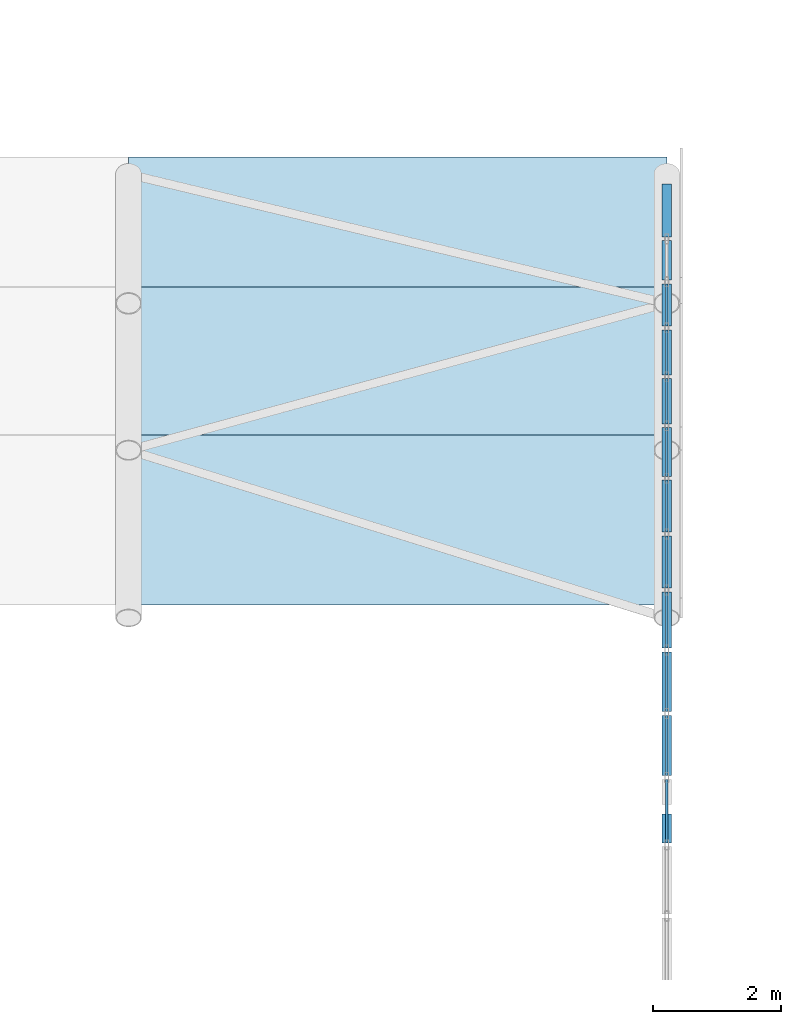
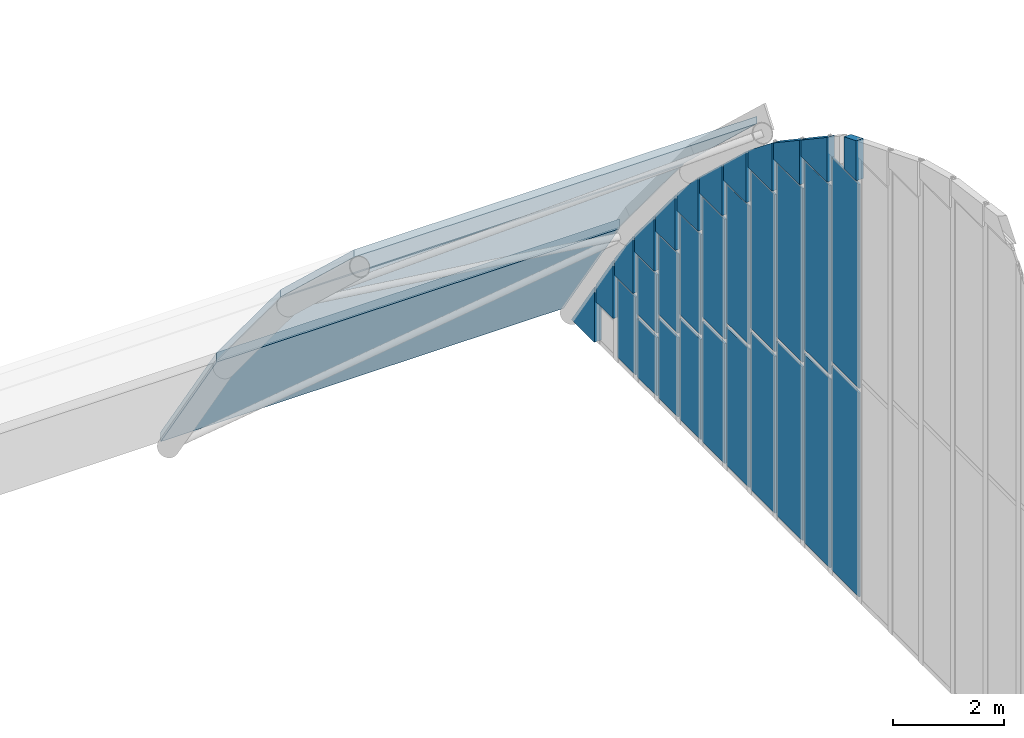
# One storey, part 59 of 77: 31 plates, 3 slabs, 1 element without a shape of its own.
"""IFC4 building model written with IfcOpenShell, lengths in metres."""

from ifc_helpers import new_model, si_unit, direction, frame, origin, origin_2d, place, context, subcontext, project, spatial, polyline, rectangle, outline, extrude, material, layer, layer_set, type_object, element, aggregate, save


model = new_model("IFC4")

# Units and contexts
model_context = context("Model", 3, precision=1e-05, world=origin(), true_north=direction((0.0, 1.0)))
body_context = subcontext(model_context, "Body", "Model", "MODEL_VIEW")
ifc_project = project(units=[si_unit("LENGTHUNIT", "METRE"), si_unit("AREAUNIT", "SQUARE_METRE"), si_unit("VOLUMEUNIT", "CUBIC_METRE"), si_unit("PLANEANGLEUNIT", "RADIAN"), si_unit("MASSUNIT", "GRAM", prefix="KILO")], contexts=[model_context])

# Site, building, storey
site_placement = place(None, origin())
site = spatial("IfcSite", under=ifc_project, at=site_placement, CompositionType="ELEMENT")
building_placement = place(site_placement, origin())
building = spatial("IfcBuilding", under=site, at=building_placement, Name="Catenary Quay Ferry Terminal", CompositionType="ELEMENT")
storey_placement = place(building_placement, frame((0.0, 0.0, 10.800048828125)))
storey = spatial("IfcBuildingStorey", under=building, at=storey_placement, Name="L02", CompositionType="ELEMENT", Elevation=10.800048828125)

# Curtain wall, plates
ifc_material_1 = material(Name="Aluminium and glass", Category="aluminium")
curtain_wall_type = type_object("IfcCurtainWallType", Name="CWA", PredefinedType="NOTDEFINED", material=ifc_material_1)
curtain_wall_placement = place(storey_placement, origin())
curtain_wall = element("IfcCurtainWall", 1, at=curtain_wall_placement, inside=storey, type_object=curtain_wall_type, Name="Arch departure hall curtain wall CW21", PredefinedType="NOTDEFINED")
ifc_material_2 = material(Name="Glass", Category="glass")
ifc_layer_1 = layer(ifc_material_2, 0.035888671875)
ifc_layer_set_1 = layer_set([ifc_layer_1], Name="PN4")
plate_type_1 = type_object("IfcPlateType", Name="PN4", PredefinedType="CURTAIN_PANEL", material=ifc_layer_set_1)
plate_1_placement = place(storey_placement, frame((92.39990234375, 132.861083984375, 0.099853515625), z_axis=(0.0, 0.0, 1.0), x_axis=(0.0, 1.0, 0.0)))
plate_1 = element("IfcPlate", 2, at=plate_1_placement, type_object=plate_type_1, Name="CW21 panel 23.1", PredefinedType="CURTAIN_PANEL", context=body_context, shape_type="SweptSolid", body=[
    extrude(rectangle(XDim=0.992431640625, YDim=0.035888671875, at=origin_2d()), origin(), (0.0, 0.0, 1.0), 4.4970703125),
])
plate_2_placement = place(storey_placement, frame((92.39990234375, 132.861083984375, 4.697021484375), z_axis=(0.0, 0.0, 1.0), x_axis=(0.0, 1.0, 0.0)))
plate_2 = element("IfcPlate", 3, at=plate_2_placement, type_object=plate_type_1, Name="CW21 panel 23.2", PredefinedType="CURTAIN_PANEL", context=body_context, shape_type="SweptSolid", body=[
    extrude(rectangle(XDim=0.992431640625, YDim=0.035888671875, at=origin_2d()), origin(), (0.0, 0.0, 1.0), 4.4970703125),
])
plate_3_placement = place(storey_placement, frame((92.39990234375, 133.884765625, 0.10009765625), z_axis=(0.0, 0.0, 1.0), x_axis=(0.0, 1.0, 0.0)))
plate_3 = element("IfcPlate", 4, at=plate_3_placement, type_object=plate_type_1, Name="CW21 panel 24.1", PredefinedType="CURTAIN_PANEL", context=body_context, shape_type="SweptSolid", body=[
    extrude(rectangle(XDim=0.9345703125, YDim=0.035888671875, at=origin_2d()), origin(), (0.0, 0.0, 1.0), 4.164306640625),
])
plate_4_placement = place(storey_placement, frame((92.39990234375, 133.884765625, 4.3642578125), z_axis=(0.0, 0.0, 1.0), x_axis=(0.0, 1.0, 0.0)))
plate_4 = element("IfcPlate", 5, at=plate_4_placement, type_object=plate_type_1, Name="CW21 panel 24.2", PredefinedType="CURTAIN_PANEL", context=body_context, shape_type="SweptSolid", body=[
    extrude(rectangle(XDim=0.9345703125, YDim=0.035888671875, at=origin_2d()), origin(), (0.0, 0.0, 1.0), 4.164306640625),
])
plate_5_placement = place(storey_placement, frame((92.39990234375, 134.87939453125, 0.10009765625), z_axis=(0.0, 0.0, 1.0), x_axis=(0.0, 1.0, 0.0)))
plate_5 = element("IfcPlate", 6, at=plate_5_placement, type_object=plate_type_1, Name="CW21 panel 25.1", PredefinedType="CURTAIN_PANEL", context=body_context, shape_type="SweptSolid", body=[
    extrude(rectangle(XDim=0.9345703125, YDim=0.035888671875, at=origin_2d()), origin(), (0.0, 0.0, 1.0), 3.831298828125),
])
plate_6_placement = place(storey_placement, frame((92.39990234375, 134.87939453125, 4.03125), z_axis=(0.0, 0.0, 1.0), x_axis=(0.0, 1.0, 0.0)))
plate_6 = element("IfcPlate", 7, at=plate_6_placement, type_object=plate_type_1, Name="CW21 panel 25.2", PredefinedType="CURTAIN_PANEL", context=body_context, shape_type="SweptSolid", body=[
    extrude(rectangle(XDim=0.9345703125, YDim=0.035888671875, at=origin_2d()), origin(), (0.0, 0.0, 1.0), 3.831298828125),
])
plate_7_placement = place(storey_placement, frame((92.39990234375, 135.843505859375, 0.099853515625), z_axis=(0.0, 0.0, 1.0), x_axis=(0.0, 1.0, 0.0)))
plate_7 = element("IfcPlate", 8, at=plate_7_placement, type_object=plate_type_1, Name="CW21 panel 26.1", PredefinedType="CURTAIN_PANEL", context=body_context, shape_type="SweptSolid", body=[
    extrude(rectangle(XDim=0.873779296875, YDim=0.035888671875, at=origin_2d()), origin(), (0.0, 0.0, 1.0), 3.46044921875),
])
plate_8_placement = place(storey_placement, frame((92.39990234375, 135.843505859375, 3.660400390625), z_axis=(0.0, 0.0, 1.0), x_axis=(0.0, 1.0, 0.0)))
plate_8 = element("IfcPlate", 9, at=plate_8_placement, type_object=plate_type_1, Name="CW21 panel 26.2", PredefinedType="CURTAIN_PANEL", context=body_context, shape_type="SweptSolid", body=[
    extrude(rectangle(XDim=0.873779296875, YDim=0.035888671875, at=origin_2d()), origin(), (0.0, 0.0, 1.0), 3.46044921875),
])
plate_9_placement = place(storey_placement, frame((92.39990234375, 136.7470703125, 0.099853515625), z_axis=(0.0, 0.0, 1.0), x_axis=(0.0, 1.0, 0.0)))
plate_9 = element("IfcPlate", 10, at=plate_9_placement, type_object=plate_type_1, Name="CW21 panel 27.1", PredefinedType="CURTAIN_PANEL", context=body_context, shape_type="SweptSolid", body=[
    extrude(rectangle(XDim=0.81298828125, YDim=0.035888671875, at=origin_2d()), origin(), (0.0, 0.0, 1.0), 3.05126953125),
])
plate_10_placement = place(storey_placement, frame((92.39990234375, 136.7470703125, 3.251220703125), z_axis=(0.0, 0.0, 1.0), x_axis=(0.0, 1.0, 0.0)))
plate_10 = element("IfcPlate", 11, at=plate_10_placement, type_object=plate_type_1, Name="CW21 panel 27.2", PredefinedType="CURTAIN_PANEL", context=body_context, shape_type="SweptSolid", body=[
    extrude(rectangle(XDim=0.81298828125, YDim=0.035888671875, at=origin_2d()), origin(), (0.0, 0.0, 1.0), 3.05126953125),
])
plate_11_placement = place(storey_placement, frame((92.39990234375, 137.6201171875, 0.099853515625), z_axis=(0.0, 0.0, 1.0), x_axis=(0.0, 1.0, 0.0)))
plate_11 = element("IfcPlate", 12, at=plate_11_placement, type_object=plate_type_1, Name="CW21 panel 28.1", PredefinedType="CURTAIN_PANEL", context=body_context, shape_type="SweptSolid", body=[
    extrude(rectangle(XDim=0.81298828125, YDim=0.035888671875, at=origin_2d()), origin(), (0.0, 0.0, 1.0), 2.64208984375),
])
plate_12_placement = place(storey_placement, frame((92.39990234375, 137.6201171875, 2.842041015625), z_axis=(0.0, 0.0, 1.0), x_axis=(0.0, 1.0, 0.0)))
plate_12 = element("IfcPlate", 13, at=plate_12_placement, type_object=plate_type_1, Name="CW21 panel 28.2", PredefinedType="CURTAIN_PANEL", context=body_context, shape_type="SweptSolid", body=[
    extrude(rectangle(XDim=0.81298828125, YDim=0.035888671875, at=origin_2d()), origin(), (0.0, 0.0, 1.0), 2.64208984375),
])
plate_13_placement = place(storey_placement, frame((92.39990234375, 138.4658203125, 0.10009765625), z_axis=(0.0, 0.0, 1.0), x_axis=(0.0, 1.0, 0.0)))
plate_13 = element("IfcPlate", 14, at=plate_13_placement, type_object=plate_type_1, Name="CW21 panel 29.1", PredefinedType="CURTAIN_PANEL", context=body_context, shape_type="SweptSolid", body=[
    extrude(rectangle(XDim=0.758544921875, YDim=0.035888671875, at=origin_2d()), origin(), (0.0, 0.0, 1.0), 2.207275390625),
])
plate_14_placement = place(storey_placement, frame((92.39990234375, 138.4658203125, 2.4072265625), z_axis=(0.0, 0.0, 1.0), x_axis=(0.0, 1.0, 0.0)))
plate_14 = element("IfcPlate", 15, at=plate_14_placement, type_object=plate_type_1, Name="CW21 panel 29.2", PredefinedType="CURTAIN_PANEL", context=body_context, shape_type="SweptSolid", body=[
    extrude(rectangle(XDim=0.758544921875, YDim=0.035888671875, at=origin_2d()), origin(), (0.0, 0.0, 1.0), 2.207275390625),
])
plate_15_placement = place(storey_placement, frame((92.39990234375, 139.257080078125, 0.099853515625), z_axis=(0.0, 0.0, 1.0), x_axis=(0.0, 1.0, 0.0)))
plate_15 = element("IfcPlate", 16, at=plate_15_placement, type_object=plate_type_1, Name="CW21 panel 30.1", PredefinedType="CURTAIN_PANEL", context=body_context, shape_type="SweptSolid", body=[
    extrude(rectangle(XDim=0.7041015625, YDim=0.035888671875, at=origin_2d()), origin(), (0.0, 0.0, 1.0), 1.74658203125),
])
plate_16_placement = place(storey_placement, frame((92.39990234375, 139.257080078125, 1.9462890625), z_axis=(0.0, 0.0, 1.0), x_axis=(0.0, 1.0, 0.0)))
plate_16 = element("IfcPlate", 17, at=plate_16_placement, type_object=plate_type_1, Name="CW21 panel 30.2", PredefinedType="CURTAIN_PANEL", context=body_context, shape_type="SweptSolid", body=[
    extrude(rectangle(XDim=0.7041015625, YDim=0.035888671875, at=origin_2d()), origin(), (0.0, 0.0, 1.0), 1.74658203125),
])
plate_17_placement = place(storey_placement, frame((92.39990234375, 140.02099609375, 0.10009765625), z_axis=(0.0, 0.0, 1.0), x_axis=(0.0, 1.0, 0.0)))
plate_17 = element("IfcPlate", 18, at=plate_17_placement, type_object=plate_type_1, Name="CW21 panel 31.1", PredefinedType="CURTAIN_PANEL", context=body_context, shape_type="SweptSolid", body=[
    extrude(rectangle(XDim=0.7041015625, YDim=0.035888671875, at=origin_2d()), origin(), (0.0, 0.0, 1.0), 1.285888671875),
])
plate_18_placement = place(storey_placement, frame((92.39990234375, 140.02099609375, 1.48583984375), z_axis=(0.0, 0.0, 1.0), x_axis=(0.0, 1.0, 0.0)))
plate_18 = element("IfcPlate", 19, at=plate_18_placement, type_object=plate_type_1, Name="CW21 panel 31.2", PredefinedType="CURTAIN_PANEL", context=body_context, shape_type="SweptSolid", body=[
    extrude(rectangle(XDim=0.7041015625, YDim=0.035888671875, at=origin_2d()), origin(), (0.0, 0.0, 1.0), 1.285888671875),
])
plate_19_placement = place(storey_placement, frame((92.39990234375, 140.761962890625, 0.099853515625), z_axis=(0.0, 0.0, 1.0), x_axis=(0.0, 1.0, 0.0)))
plate_19 = element("IfcPlate", 20, at=plate_19_placement, type_object=plate_type_1, Name="CW21 panel 32.1", PredefinedType="CURTAIN_PANEL", context=body_context, shape_type="SweptSolid", body=[
    extrude(rectangle(XDim=0.65771484375, YDim=0.035888671875, at=origin_2d()), origin(), (0.0, 0.0, 1.0), 1.7158203125),
])
ifc_material_3 = material(Name="Ceramic tile facing on insulated backing")
ifc_layer_2 = layer(ifc_material_3, 0.14990234375)
ifc_layer_set_2 = layer_set([ifc_layer_2], Name="PN7")
plate_type_2 = type_object("IfcPlateType", Name="PN7", PredefinedType="CURTAIN_PANEL", material=ifc_layer_set_2)
plate_20_placement = place(storey_placement, frame((92.39990234375, 132.36474609375, 9.294189453125), z_axis=(0.0, 0.0, 1.0), x_axis=(0.0, 1.0, 0.0)))
plate_20 = element("IfcPlate", 21, at=plate_20_placement, type_object=plate_type_2, Name="CW21 spandrel panel 25", PredefinedType="CURTAIN_PANEL", context=body_context, shape_type="SweptSolid", body=[
    extrude(outline(polyline([(0.0, 0.0), (0.4501953125, 0.0), (0.4501953125, 0.702880859375), (0.0, 0.883544921875), (0.0, 0.0)])), frame((0.0, 0.074951171875, 0.0), z_axis=(0.0, -1.0, 0.0), x_axis=(1.0, 0.0, 0.0)), (0.0, 0.0, 1.0), 0.14990234375),
])
plate_21_placement = place(storey_placement, frame((92.39990234375, 133.417236328125, 8.62841796875), z_axis=(0.0, 0.0, 1.0), x_axis=(0.0, 1.0, 0.0)))
plate_21 = element("IfcPlate", 22, at=plate_21_placement, type_object=plate_type_2, Name="CW21 spandrel panel 27", PredefinedType="CURTAIN_PANEL", context=body_context, shape_type="SweptSolid", body=[
    extrude(outline(polyline([(0.0, 0.0), (0.9345703125, 0.0), (0.9345703125, 0.360107421875), (0.0, 0.985595703125), (0.0, 0.0)])), frame((0.0, 0.074951171875, 0.0), z_axis=(0.0, -1.0, 0.0), x_axis=(1.0, 0.0, 0.0)), (0.0, 0.0, 1.0), 0.14990234375),
])
plate_22_placement = place(storey_placement, frame((92.39990234375, 134.412109375, 7.962890625), z_axis=(0.0, 0.0, 1.0), x_axis=(0.0, 1.0, 0.0)))
plate_22 = element("IfcPlate", 23, at=plate_22_placement, type_object=plate_type_2, Name="CW21 spandrel panel 28", PredefinedType="CURTAIN_PANEL", context=body_context, shape_type="SweptSolid", body=[
    extrude(outline(polyline([(0.0, 0.0), (0.9345703125, 0.0), (0.9345703125, 0.35986328125), (0.0, 0.985595703125), (0.0, 0.0)])), frame((0.0, 0.074951171875, 0.0), z_axis=(0.0, -1.0, 0.0), x_axis=(1.0, 0.0, 0.0)), (0.0, 0.0, 1.0), 0.14990234375),
])
plate_23_placement = place(storey_placement, frame((92.39990234375, 135.40673828125, 7.220703125), z_axis=(0.0, 0.0, 1.0), x_axis=(0.0, 1.0, 0.0)))
plate_23 = element("IfcPlate", 24, at=plate_23_placement, type_object=plate_type_2, Name="CW21 spandrel panel 29", PredefinedType="CURTAIN_PANEL", context=body_context, shape_type="SweptSolid", body=[
    extrude(outline(polyline([(0.0, 0.0), (0.873779296875, 0.0), (0.873779296875, 0.3681640625), (0.0, 1.06201171875), (0.0, 0.0)])), frame((0.0, 0.074951171875, 0.0), z_axis=(0.0, -1.0, 0.0), x_axis=(1.0, 0.0, 0.0)), (0.0, 0.0, 1.0), 0.14990234375),
])
plate_24_placement = place(storey_placement, frame((92.39990234375, 136.340576171875, 6.40234375), z_axis=(0.0, 0.0, 1.0), x_axis=(0.0, 1.0, 0.0)))
plate_24 = element("IfcPlate", 25, at=plate_24_placement, type_object=plate_type_2, Name="CW21 spandrel panel 30", PredefinedType="CURTAIN_PANEL", context=body_context, shape_type="SweptSolid", body=[
    extrude(outline(polyline([(0.0, 0.0), (0.81298828125, 0.0), (0.81298828125, 0.3681640625), (0.0, 1.13037109375), (0.0, 0.0)])), frame((0.0, 0.074951171875, 0.0), z_axis=(0.0, -1.0, 0.0), x_axis=(1.0, 0.0, 0.0)), (0.0, 0.0, 1.0), 0.14990234375),
])
plate_25_placement = place(storey_placement, frame((92.39990234375, 137.21337890625, 5.584228515625), z_axis=(0.0, 0.0, 1.0), x_axis=(0.0, 1.0, 0.0)))
plate_25 = element("IfcPlate", 26, at=plate_25_placement, type_object=plate_type_2, Name="CW21 spandrel panel 31", PredefinedType="CURTAIN_PANEL", context=body_context, shape_type="SweptSolid", body=[
    extrude(outline(polyline([(0.0, 0.0), (0.81298828125, 0.0), (0.81298828125, 0.367919921875), (0.0, 1.130126953125), (0.0, 0.0)])), frame((0.0, 0.074951171875, 0.0), z_axis=(0.0, -1.0, 0.0), x_axis=(1.0, 0.0, 0.0)), (0.0, 0.0, 1.0), 0.14990234375),
])
plate_26_placement = place(storey_placement, frame((92.39990234375, 138.08642578125, 4.71435546875), z_axis=(0.0, 0.0, 1.0), x_axis=(0.0, 1.0, 0.0)))
plate_26 = element("IfcPlate", 27, at=plate_26_placement, type_object=plate_type_2, Name="CW21 spandrel panel 32", PredefinedType="CURTAIN_PANEL", context=body_context, shape_type="SweptSolid", body=[
    extrude(outline(polyline([(0.0, 0.0), (0.758544921875, 0.0), (0.758544921875, 0.376220703125), (0.0, 1.181640625), (0.0, 0.0)])), frame((0.0, 0.074951171875, 0.0), z_axis=(0.0, -1.0, 0.0), x_axis=(1.0, 0.0, 0.0)), (0.0, 0.0, 1.0), 0.14990234375),
])
plate_27_placement = place(storey_placement, frame((92.39990234375, 138.905029296875, 3.79296875), z_axis=(0.0, 0.0, 1.0), x_axis=(0.0, 1.0, 0.0)))
plate_27 = element("IfcPlate", 28, at=plate_27_placement, type_object=plate_type_2, Name="CW21 spandrel panel 33", PredefinedType="CURTAIN_PANEL", context=body_context, shape_type="SweptSolid", body=[
    extrude(outline(polyline([(0.0, 0.0), (0.7041015625, 0.0), (0.7041015625, 0.376220703125), (0.0, 1.22509765625), (0.0, 0.0)])), frame((0.0, 0.074951171875, 0.0), z_axis=(0.0, -1.0, 0.0), x_axis=(1.0, 0.0, 0.0)), (0.0, 0.0, 1.0), 0.14990234375),
])
plate_28_placement = place(storey_placement, frame((92.39990234375, 139.6689453125, 2.87158203125), z_axis=(0.0, 0.0, 1.0), x_axis=(0.0, 1.0, 0.0)))
plate_28 = element("IfcPlate", 29, at=plate_28_placement, type_object=plate_type_2, Name="CW21 spandrel panel 34", PredefinedType="CURTAIN_PANEL", context=body_context, shape_type="SweptSolid", body=[
    extrude(outline(polyline([(0.0, 0.0), (0.7041015625, 0.0), (0.7041015625, 0.376220703125), (0.0, 1.22509765625), (0.0, 0.0)])), frame((0.0, 0.074951171875, 0.0), z_axis=(0.0, -1.0, 0.0), x_axis=(1.0, 0.0, 0.0)), (0.0, 0.0, 1.0), 0.14990234375),
])
plate_29_placement = place(storey_placement, frame((92.39990234375, 140.43310546875, 1.915771484375), z_axis=(0.0, 0.0, 1.0), x_axis=(0.0, 1.0, 0.0)))
plate_29 = element("IfcPlate", 30, at=plate_29_placement, type_object=plate_type_2, Name="CW21 spandrel panel 35", PredefinedType="CURTAIN_PANEL", context=body_context, shape_type="SweptSolid", body=[
    extrude(outline(polyline([(0.0, 0.0), (0.65771484375, 0.0), (0.65771484375, 0.38427734375), (0.0, 1.259765625), (0.0, 0.0)])), frame((0.0, 0.074951171875, 0.0), z_axis=(0.0, -1.0, 0.0), x_axis=(1.0, 0.0, 0.0)), (0.0, 0.0, 1.0), 0.14990234375),
])
plate_30_placement = place(storey_placement, frame((92.39990234375, 141.15087890625, 0.925537109375), z_axis=(0.0, 0.0, 1.0), x_axis=(0.0, 1.0, 0.0)))
plate_30 = element("IfcPlate", 31, at=plate_30_placement, type_object=plate_type_2, Name="CW21 spandrel panel 36", PredefinedType="CURTAIN_PANEL", context=body_context, shape_type="SweptSolid", body=[
    extrude(outline(polyline([(0.0, 0.0), (0.611572265625, 0.0), (0.611572265625, 0.384033203125), (0.0, 1.2861328125), (0.0, 0.0)])), frame((0.0, 0.074951171875, 0.0), z_axis=(0.0, -1.0, 0.0), x_axis=(1.0, 0.0, 0.0)), (0.0, 0.0, 1.0), 0.14990234375),
])
plate_31_placement = place(storey_placement, frame((92.39990234375, 141.822509765625, 0.0), z_axis=(0.0, 0.0, 1.0), x_axis=(0.0, 1.0, 0.0)))
plate_31 = element("IfcPlate", 32, at=plate_31_placement, type_object=plate_type_2, Name="CW21 spandrel panel 37", PredefinedType="CURTAIN_PANEL", context=body_context, shape_type="SweptSolid", body=[
    extrude(outline(polyline([(0.0, 0.0), (0.9775390625, 0.0), (0.9775390625, -0.219970703125), (0.0, 1.22119140625), (0.0, 0.0)])), frame((0.0, 0.074951171875, 0.0), z_axis=(0.0, -1.0, 0.0), x_axis=(1.0, 0.0, 0.0)), (0.0, 0.0, 1.0), 0.14990234375),
])
aggregate(curtain_wall, [plate_1, plate_2, plate_20, plate_3, plate_4, plate_21, plate_5, plate_6, plate_22, plate_7, plate_8, plate_23, plate_9, plate_10, plate_24, plate_11, plate_12, plate_25, plate_13, plate_14, plate_26, plate_15, plate_16, plate_27, plate_17, plate_18, plate_28, plate_19, plate_29, plate_30, plate_31])

# Slabs
ifc_material_4 = material(Name="Concrete C35/45", Category="concrete")
ifc_layer_3 = layer(ifc_material_4, 0.1201171875)
ifc_layer_set_3 = layer_set([ifc_layer_3], Name="Thin concrete shell roof slab C35/45 120")
slab_type = type_object("IfcSlabType", Name="Thin concrete shell roof slab C35/45 120", PredefinedType="ROOF", material=ifc_layer_set_3)
slab_1_placement = place(storey_placement, frame((84.0, 136.07568359375, 8.44384765625), z_axis=(0.0, 0.683912096655, 0.729564420767), x_axis=(1.0, 0.0, 0.0)))
element("IfcSlab", 33, at=slab_1_placement, inside=storey, type_object=slab_type, Name="Roof shell panel VD-08-10", PredefinedType="ROOF", context=body_context, shape_type="SweptSolid", body=[
    extrude(outline(polyline([(0.0, 0.0), (8.39990234375, 0.0), (8.39990234375, 3.636520773705697), (0.0, 3.636520773705697), (0.0, 0.0)])), origin(), (0.0, 0.683912096655, -0.729564420767), 0.16455078125),
])
slab_2_placement = place(storey_placement, frame((84.0, 138.728759765625, 5.956787109375), z_axis=(0.0, 0.769753119494, 0.638341707105), x_axis=(1.0, 0.0, 0.0)))
element("IfcSlab", 34, at=slab_2_placement, inside=storey, type_object=slab_type, Name="Roof shell panel VD-08-11", PredefinedType="ROOF", context=body_context, shape_type="SweptSolid", body=[
    extrude(outline(polyline([(0.0, 0.0), (8.39990234375, 0.0), (8.39990234375, 3.626492489028447), (0.0, 3.626492489028447), (0.0, 0.0)])), origin(), (0.0, 0.769753119494, -0.638341707105), 0.18798828125),
])
slab_3_placement = place(storey_placement, frame((84.0, 141.043701171875, 3.165283203125), z_axis=(0.0, 0.827617329407, 0.561292754332), x_axis=(1.0, 0.0, 0.0)))
element("IfcSlab", 35, at=slab_3_placement, inside=storey, type_object=slab_type, Name="Roof shell panel VD-08-12", PredefinedType="ROOF", context=body_context, shape_type="SweptSolid", body=[
    extrude(outline(polyline([(0.0, 0.0), (8.39990234375, 0.0), (8.39990234375, 3.605394199381718), (0.0, 3.605394199381718), (0.0, 0.0)])), origin(), (0.0, 0.827617329407, -0.561292754332), 0.2138671875),
])

save(model, "model.ifc")
